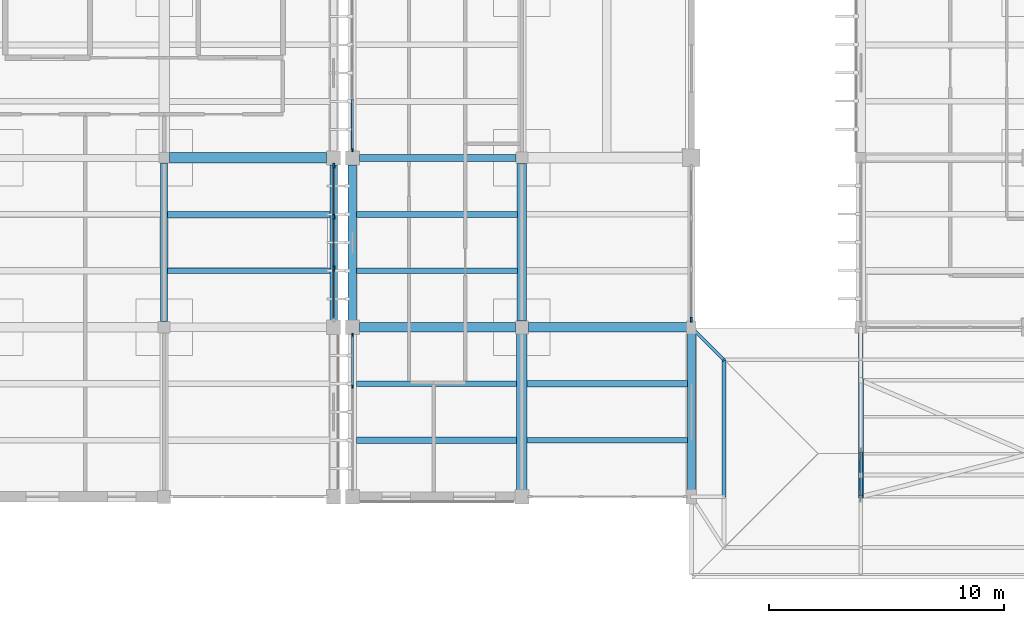
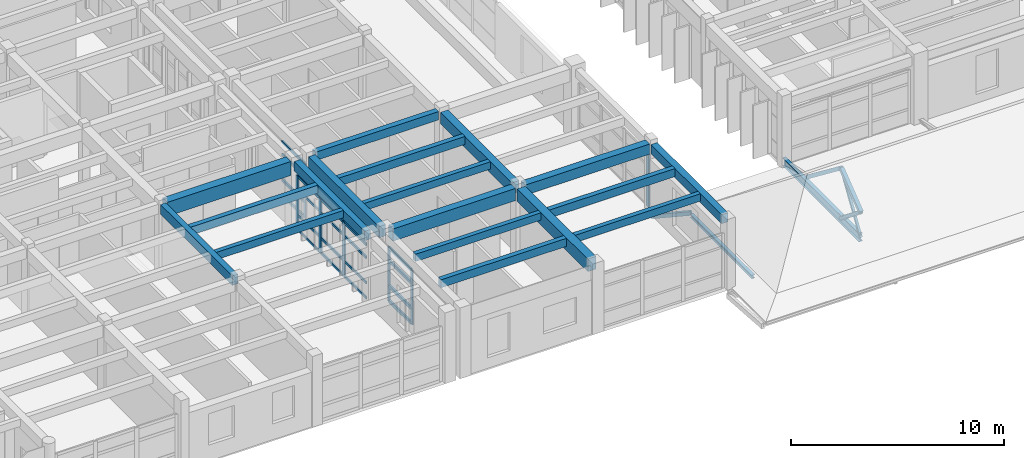
# One storey, part 18 of 100: 33 members, 19 beams, 4 elements without a shape of their own.
"""IFC4 building model written with IfcOpenShell, lengths in metres."""

from ifc_helpers import new_model, si_unit, direction, frame, origin, origin_2d, place, context, subcontext, project, spatial, rectangle, hollow_rectangle, hollow_circle, i_section, extrude, material, material_profile, profile_set, type_object, element, aggregate, save


model = new_model("IFC4")

# Units and contexts
model_context = context("Model", 3, precision=1e-05, world=origin(), true_north=direction((0.0, 1.0)))
body_context = subcontext(model_context, "Body", "Model", "MODEL_VIEW")
ifc_project = project(units=[si_unit("LENGTHUNIT", "METRE"), si_unit("AREAUNIT", "SQUARE_METRE"), si_unit("VOLUMEUNIT", "CUBIC_METRE"), si_unit("PLANEANGLEUNIT", "RADIAN"), si_unit("MASSUNIT", "GRAM", prefix="KILO")], contexts=[model_context])

# Site, building, storey
site_placement = place(None, origin())
site = spatial("IfcSite", under=ifc_project, at=site_placement, CompositionType="ELEMENT")
building_placement = place(site_placement, origin())
building = spatial("IfcBuilding", under=site, at=building_placement, Name="Steenspoor Specialist Clinic", CompositionType="ELEMENT")
storey_placement = place(building_placement, frame((0.0, 0.0, 9.0)))
storey = spatial("IfcBuildingStorey", under=building, at=storey_placement, Name="L02", CompositionType="ELEMENT", Elevation=9.0)

# Beams
ifc_material_1 = material(Name="Concrete C35/45", Category="concrete")
ifc_material_profile_1 = material_profile(ifc_material_1, rectangle(XDim=0.300048828125, YDim=0.47998046875, at=origin_2d()), Name="RC-BM-300X480")
ifc_profile_set_1 = profile_set([ifc_material_profile_1], Name="Concrete C35/45")
beam_type_1 = type_object("IfcBeamType", Name="BM-RC-300X480", PredefinedType="BEAM", material=ifc_profile_set_1)
beam_1_placement = place(storey_placement, frame((52.695068359375, 79.550048828125, 3.7099609375), z_axis=(1.0, 0.0, 0.0), x_axis=(0.0, 1.0, 0.0)))
element("IfcBeam", 1, at=beam_1_placement, inside=storey, type_object=beam_type_1, Name="BM-V4-L02-X0649", PredefinedType="BEAM", context=body_context, shape_type="SweptSolid", body=[
    extrude(rectangle(XDim=0.300048828125, YDim=0.47998046875, at=origin_2d()), origin(), (0.0, 0.0, 1.0), 6.659912109375),
])
ifc_material_profile_2 = material_profile(ifc_material_1, rectangle(XDim=0.300048828125, YDim=0.550048828125, at=origin_2d()), Name="RC-BM-300X550")
ifc_profile_set_2 = profile_set([ifc_material_profile_2], Name="Concrete C35/45")
beam_type_2 = type_object("IfcBeamType", Name="BM-RC-300X550", PredefinedType="BEAM", material=ifc_profile_set_2)
beam_2_placement = place(storey_placement, frame((44.39990234375, 72.594970703125, 3.675048828125), z_axis=(0.0, 1.0, 0.0), x_axis=(-1.0, 0.0, 0.0)))
element("IfcBeam", 2, at=beam_2_placement, inside=storey, type_object=beam_type_2, Name="BM-V5-L02-Y1287", PredefinedType="BEAM", context=body_context, shape_type="SweptSolid", body=[
    extrude(rectangle(XDim=0.300048828125, YDim=0.550048828125, at=origin_2d()), origin(), (0.0, 0.0, 1.0), 6.735107421875),
])
ifc_material_profile_3 = material_profile(ifc_material_1, rectangle(XDim=0.35009765625, YDim=0.52001953125, at=origin_2d()), Name="RC-BM-350X520")
ifc_profile_set_3 = profile_set([ifc_material_profile_3], Name="Concrete C35/45")
beam_type_3 = type_object("IfcBeamType", Name="BM-RC-350X520", PredefinedType="BEAM", material=ifc_profile_set_3)
beam_3_placement = place(storey_placement, frame((66.800048828125, 65.445068359375, 3.68994140625), z_axis=(0.0, 1.0, 0.0), x_axis=(-1.0, 0.0, 0.0)))
element("IfcBeam", 3, at=beam_3_placement, inside=storey, type_object=beam_type_3, Name="BM-V4-L02-Y0697", PredefinedType="BEAM", context=body_context, shape_type="SweptSolid", body=[
    extrude(rectangle(XDim=0.35009765625, YDim=0.52001953125, at=origin_2d()), origin(), (0.0, 0.0, 1.0), 6.635009765625),
])
ifc_material_profile_4 = material_profile(ifc_material_1, rectangle(XDim=0.39990234375, YDim=0.580078125, at=origin_2d()), Name="RC-BM-400X580")
ifc_profile_set_4 = profile_set([ifc_material_profile_4], Name="Concrete C35/45")
beam_type_4 = type_object("IfcBeamType", Name="BM-RC-400X580", PredefinedType="BEAM", material=ifc_profile_set_4)
beam_4_placement = place(storey_placement, frame((59.8701171875, 72.35009765625, 3.659912109375), z_axis=(1.0, 0.0, 0.0), x_axis=(0.0, 1.0, 0.0)))
element("IfcBeam", 4, at=beam_4_placement, inside=storey, type_object=beam_type_4, Name="BM-V4-L02-X0643", PredefinedType="BEAM", context=body_context, shape_type="SweptSolid", body=[
    extrude(rectangle(XDim=0.39990234375, YDim=0.580078125, at=origin_2d()), origin(), (0.0, 0.0, 1.0), 6.73486328125),
])
ifc_material_profile_5 = material_profile(ifc_material_1, rectangle(XDim=0.39990234375, YDim=0.64990234375, at=origin_2d()), Name="RC-BM-400X650")
ifc_profile_set_5 = profile_set([ifc_material_profile_5], Name="Concrete C35/45")
beam_type_5 = type_object("IfcBeamType", Name="BM-RC-400X650", PredefinedType="BEAM", material=ifc_profile_set_5)
beam_5_placement = place(storey_placement, frame((59.60009765625, 72.6201171875, 3.625), z_axis=(0.0, 1.0, 0.0), x_axis=(-1.0, 0.0, 0.0)))
element("IfcBeam", 5, at=beam_5_placement, inside=storey, type_object=beam_type_5, Name="BM-V4-L02-Y0692", PredefinedType="BEAM", context=body_context, shape_type="SweptSolid", body=[
    extrude(rectangle(XDim=0.39990234375, YDim=0.64990234375, at=origin_2d()), origin(), (0.0, 0.0, 1.0), 6.684814453125),
])
ifc_material_profile_6 = material_profile(ifc_material_1, rectangle(XDim=0.39990234375, YDim=0.699951171875, at=origin_2d()), Name="RC-BM-400X700")
ifc_profile_set_6 = profile_set([ifc_material_profile_6], Name="Concrete C35/45")
beam_type_6 = type_object("IfcBeamType", Name="BM-RC-400X700", PredefinedType="BEAM", material=ifc_profile_set_6)
beam_6_placement = place(storey_placement, frame((52.695068359375, 72.35009765625, 3.60009765625), z_axis=(1.0, 0.0, 0.0), x_axis=(0.0, 1.0, 0.0)))
element("IfcBeam", 6, at=beam_6_placement, inside=storey, type_object=beam_type_6, Name="BM-V4-L02-X0642", PredefinedType="BEAM", context=body_context, shape_type="SweptSolid", body=[
    extrude(rectangle(XDim=0.39990234375, YDim=0.699951171875, at=origin_2d()), origin(), (0.0, 0.0, 1.0), 6.635009765625),
])
ifc_material_profile_7 = material_profile(ifc_material_1, rectangle(XDim=0.449951171875, YDim=0.719970703125, at=origin_2d()), Name="RC-BM-450X720")
ifc_profile_set_7 = profile_set([ifc_material_profile_7], Name="Concrete C35/45")
beam_type_7 = type_object("IfcBeamType", Name="BM-RC-450X720", PredefinedType="BEAM", material=ifc_profile_set_7)
beam_7_placement = place(storey_placement, frame((59.60009765625, 65.445068359375, 3.590087890625), z_axis=(0.0, 1.0, 0.0), x_axis=(-1.0, 0.0, 0.0)))
element("IfcBeam", 7, at=beam_7_placement, inside=storey, type_object=beam_type_7, Name="BM-V4-L02-Y0691", PredefinedType="BEAM", context=body_context, shape_type="SweptSolid", body=[
    extrude(rectangle(XDim=0.449951171875, YDim=0.719970703125, at=origin_2d()), origin(), (0.0, 0.0, 1.0), 6.635009765625),
])
ifc_material_profile_8 = material_profile(ifc_material_1, rectangle(XDim=0.449951171875, YDim=0.800048828125, at=origin_2d()), Name="RC-BM-450X800")
ifc_profile_set_8 = profile_set([ifc_material_profile_8], Name="Concrete C35/45")
beam_type_8 = type_object("IfcBeamType", Name="BM-RC-450X800", PredefinedType="BEAM", material=ifc_profile_set_8)
beam_8_placement = place(storey_placement, frame((44.6201171875, 79.550048828125, 3.550048828125), z_axis=(1.0, 0.0, 0.0), x_axis=(0.0, 1.0, 0.0)))
element("IfcBeam", 8, at=beam_8_placement, inside=storey, type_object=beam_type_8, Name="BM-V5-L02-X1256", PredefinedType="BEAM", context=body_context, shape_type="SweptSolid", body=[
    extrude(rectangle(XDim=0.449951171875, YDim=0.800048828125, at=origin_2d()), origin(), (0.0, 0.0, 1.0), 6.684814453125),
])
ifc_material_2 = material(Name="Steel A992 Grade 50", Category="steel")
ifc_material_profile_9 = material_profile(ifc_material_2, i_section(OverallWidth=0.193115234375, OverallDepth=0.466064453125, WebThickness=0.011474609375, FlangeThickness=0.01904296875, at=origin_2d()), Name="W460X97")
ifc_profile_set_9 = profile_set([ifc_material_profile_9], Name="Steel A992 Grade 50")
beam_type_9 = type_object("IfcBeamType", Name="BM-ST-W460X97", PredefinedType="BEAM", material=ifc_profile_set_9)
beam_9_placement = place(storey_placement, frame((74.0, 65.14990234375, 0.2529296875), z_axis=(0.0, 1.0, 0.0), x_axis=(-1.0, 0.0, 0.0)))
element("IfcBeam", 9, at=beam_9_placement, inside=storey, type_object=beam_type_9, Name="ROOF TRUSS Bottom Tie Chord V4T1 2", PredefinedType="BEAM", context=body_context, shape_type="SweptSolid", body=[
    extrude(i_section(OverallWidth=0.193115234375, OverallDepth=0.466064453125, WebThickness=0.011474609375, FlangeThickness=0.01904296875, at=origin_2d()), origin(), (0.0, 0.0, 1.0), 7.2001953125),
])

# Curtain wall, member
ifc_material_3 = material(Name="Thermally broken aluminium and low-emissivity glass", Category="aluminium")
curtain_wall_type_1 = type_object("IfcCurtainWallType", Name="CW-TYP-660X355", PredefinedType="USERDEFINED", material=ifc_material_3)
curtain_wall_1_placement = place(storey_placement, origin())
curtain_wall_1 = element("IfcCurtainWall", 10, at=curtain_wall_1_placement, inside=storey, type_object=curtain_wall_type_1, Name="Unitised Curtain Wall CW-V4-L02-105", ObjectType="UNITISED GLAZING", PredefinedType="USERDEFINED")
ifc_material_4 = material(Name="Thermally broken aluminium 6063-T6", Category="aluminium")
ifc_material_profile_10 = material_profile(ifc_material_4, rectangle(XDim=0.06494140625, YDim=0.14990234375, at=origin_2d()), Name="CWM-65X150")
ifc_profile_set_10 = profile_set([ifc_material_profile_10], Name="Thermally broken aluminium 6063-T6")
member_type_1 = type_object("IfcMemberType", Name="CW-MULL-65X150", PredefinedType="MULLION", material=ifc_profile_set_10)
member_1_placement = place(storey_placement, frame((52.39990234375, 79.882568359375, 0.0), z_axis=(0.0, 0.0, 1.0), x_axis=(-1.0, 0.0, 0.0)))
member_1 = element("IfcMember", 11, at=member_1_placement, type_object=member_type_1, Name="CW-09 mullion 1", PredefinedType="MULLION", context=body_context, shape_type="SweptSolid", body=[
    extrude(rectangle(XDim=0.06494140625, YDim=0.14990234375, at=origin_2d()), origin(), (0.0, 0.0, 1.0), 3.1298828125),
])

# Curtain wall, members
curtain_wall_type_2 = type_object("IfcCurtainWallType", Name="CW-L00-240X415", PredefinedType="USERDEFINED", material=ifc_material_3)
curtain_wall_2_placement = place(storey_placement, origin())
curtain_wall_2 = element("IfcCurtainWall", 12, at=curtain_wall_2_placement, inside=storey, type_object=curtain_wall_type_2, Name="Unitised Curtain Wall CW-V4-L02-104", ObjectType="UNITISED GLAZING", PredefinedType="USERDEFINED")
ifc_material_profile_11 = material_profile(ifc_material_4, rectangle(XDim=0.070068359375, YDim=0.1650390625, at=origin_2d()), Name="CWM-70X165")
ifc_profile_set_11 = profile_set([ifc_material_profile_11], Name="Thermally broken aluminium 6063-T6")
member_type_2 = type_object("IfcMemberType", Name="CW-MULL-70X165", PredefinedType="MULLION", material=ifc_profile_set_11)
member_2_placement = place(storey_placement, frame((52.39990234375, 69.85009765625, 0.0), z_axis=(0.0, 0.0, 1.0), x_axis=(-1.0, 0.0, 0.0)))
member_2 = element("IfcMember", 13, at=member_2_placement, type_object=member_type_2, Name="CW-08 mullion 3", PredefinedType="MULLION", context=body_context, shape_type="SweptSolid", body=[
    extrude(rectangle(XDim=0.070068359375, YDim=0.1650390625, at=origin_2d()), origin(), (0.0, 0.0, 1.0), 3.1298828125),
])
member_3_placement = place(storey_placement, frame((52.39990234375, 72.014892578125, 0.0), z_axis=(0.0, 0.0, 1.0), x_axis=(-1.0, 0.0, 0.0)))
member_3 = element("IfcMember", 14, at=member_3_placement, type_object=member_type_2, Name="CW-08 mullion 4", PredefinedType="MULLION", context=body_context, shape_type="SweptSolid", body=[
    extrude(rectangle(XDim=0.070068359375, YDim=0.1650390625, at=origin_2d()), origin(), (0.0, 0.0, 1.0), 3.1298828125),
])

# Curtain wall, member
curtain_wall_type_3 = type_object("IfcCurtainWallType", Name="CW-L00-480X415", PredefinedType="USERDEFINED", material=ifc_material_3)
curtain_wall_3_placement = place(storey_placement, origin())
curtain_wall_3 = element("IfcCurtainWall", 15, at=curtain_wall_3_placement, inside=storey, type_object=curtain_wall_type_3, Name="Unitised Curtain Wall CW-V4-L02-102", ObjectType="UNITISED GLAZING", PredefinedType="USERDEFINED")
ifc_material_profile_12 = material_profile(ifc_material_4, rectangle(XDim=0.080078125, YDim=0.219970703125, at=origin_2d()), Name="CWM-80X220")
ifc_profile_set_12 = profile_set([ifc_material_profile_12], Name="Thermally broken aluminium 6063-T6")
member_type_3 = type_object("IfcMemberType", Name="CW-MULL-80X220", PredefinedType="MULLION", material=ifc_profile_set_12)
member_4_placement = place(storey_placement, frame((66.800048828125, 72.6650390625, 0.0), z_axis=(0.0, 0.0, 1.0), x_axis=(1.0, 0.0, 0.0)))
member_4 = element("IfcMember", 16, at=member_4_placement, type_object=member_type_3, Name="CW-06 mullion 4", PredefinedType="MULLION", context=body_context, shape_type="SweptSolid", body=[
    extrude(rectangle(XDim=0.080078125, YDim=0.219970703125, at=origin_2d()), origin(), (0.0, 0.0, 1.0), 3.1298828125),
])
aggregate(curtain_wall_3, [member_4])

# Curtain wall, members
curtain_wall_type_4 = type_object("IfcCurtainWallType", Name="CW-TYP-480X355", PredefinedType="USERDEFINED", material=ifc_material_3)
curtain_wall_4_placement = place(storey_placement, origin())
curtain_wall_4 = element("IfcCurtainWall", 17, at=curtain_wall_4_placement, inside=storey, type_object=curtain_wall_type_4, Name="Unitised Curtain Wall CW-V5-L02-156", ObjectType="UNITISED GLAZING", PredefinedType="USERDEFINED")
member_5_placement = place(storey_placement, frame((51.60009765625, 79.2099609375, 0.0), z_axis=(0.0, 0.0, 1.0), x_axis=(1.0, 0.0, 0.0)))
member_5 = element("IfcMember", 18, at=member_5_placement, type_object=member_type_3, Name="CW-12 mullion 1", PredefinedType="MULLION", context=body_context, shape_type="SweptSolid", body=[
    extrude(rectangle(XDim=0.080078125, YDim=0.219970703125, at=origin_2d()), origin(), (0.0, 0.0, 1.0), 3.1298828125),
])
member_6_placement = place(storey_placement, frame((51.60009765625, 77.050048828125, 0.0), z_axis=(0.0, 0.0, 1.0), x_axis=(1.0, 0.0, 0.0)))
member_6 = element("IfcMember", 19, at=member_6_placement, type_object=member_type_3, Name="CW-12 mullion 2", PredefinedType="MULLION", context=body_context, shape_type="SweptSolid", body=[
    extrude(rectangle(XDim=0.080078125, YDim=0.219970703125, at=origin_2d()), origin(), (0.0, 0.0, 1.0), 3.1298828125),
])
member_7_placement = place(storey_placement, frame((51.60009765625, 74.85009765625, 0.0), z_axis=(0.0, 0.0, 1.0), x_axis=(1.0, 0.0, 0.0)))
member_7 = element("IfcMember", 20, at=member_7_placement, type_object=member_type_3, Name="CW-12 mullion 3", PredefinedType="MULLION", context=body_context, shape_type="SweptSolid", body=[
    extrude(rectangle(XDim=0.080078125, YDim=0.219970703125, at=origin_2d()), origin(), (0.0, 0.0, 1.0), 3.1298828125),
])
ifc_material_profile_13 = material_profile(ifc_material_4, rectangle(XDim=0.070068359375, YDim=0.14501953125, at=origin_2d()), Name="CWT-70X145")
ifc_profile_set_13 = profile_set([ifc_material_profile_13], Name="Thermally broken aluminium 6063-T6")
member_type_4 = type_object("IfcMemberType", Name="CW-TRAN-70X145", PredefinedType="USERDEFINED", material=ifc_profile_set_13)
member_8_placement = place(storey_placement, frame((51.60009765625, 79.169921875, 0.034912109375), z_axis=(0.0, -1.0, 0.0), x_axis=(1.0, 0.0, 0.0)))
member_8 = element("IfcMember", 21, at=member_8_placement, type_object=member_type_4, Name="CW-12 transom 1.1", ObjectType="TRANSOM", PredefinedType="USERDEFINED", context=body_context, shape_type="SweptSolid", body=[
    extrude(rectangle(XDim=0.070068359375, YDim=0.14501953125, at=origin_2d()), origin(), (0.0, 0.0, 1.0), 2.079833984375),
])
member_9_placement = place(storey_placement, frame((51.60009765625, 79.169921875, 0.89990234375), z_axis=(0.0, -1.0, 0.0), x_axis=(1.0, 0.0, 0.0)))
member_9 = element("IfcMember", 22, at=member_9_placement, type_object=member_type_4, Name="CW-12 transom 1.2", ObjectType="TRANSOM", PredefinedType="USERDEFINED", context=body_context, shape_type="SweptSolid", body=[
    extrude(rectangle(XDim=0.070068359375, YDim=0.14501953125, at=origin_2d()), origin(), (0.0, 0.0, 1.0), 2.079833984375),
])
member_10_placement = place(storey_placement, frame((51.60009765625, 79.169921875, 2.35009765625), z_axis=(0.0, -1.0, 0.0), x_axis=(1.0, 0.0, 0.0)))
member_10 = element("IfcMember", 23, at=member_10_placement, type_object=member_type_4, Name="CW-12 transom 1.3", ObjectType="TRANSOM", PredefinedType="USERDEFINED", context=body_context, shape_type="SweptSolid", body=[
    extrude(rectangle(XDim=0.070068359375, YDim=0.14501953125, at=origin_2d()), origin(), (0.0, 0.0, 1.0), 2.079833984375),
])
member_11_placement = place(storey_placement, frame((51.60009765625, 79.169921875, 3.094970703125), z_axis=(0.0, -1.0, 0.0), x_axis=(1.0, 0.0, 0.0)))
member_11 = element("IfcMember", 24, at=member_11_placement, type_object=member_type_4, Name="CW-12 transom 1.4", ObjectType="TRANSOM", PredefinedType="USERDEFINED", context=body_context, shape_type="SweptSolid", body=[
    extrude(rectangle(XDim=0.070068359375, YDim=0.14501953125, at=origin_2d()), origin(), (0.0, 0.0, 1.0), 2.079833984375),
])
member_12_placement = place(storey_placement, frame((51.60009765625, 77.010009765625, 0.034912109375), z_axis=(0.0, -1.0, 0.0), x_axis=(1.0, 0.0, 0.0)))
member_12 = element("IfcMember", 25, at=member_12_placement, type_object=member_type_4, Name="CW-12 transom 2.1", ObjectType="TRANSOM", PredefinedType="USERDEFINED", context=body_context, shape_type="SweptSolid", body=[
    extrude(rectangle(XDim=0.070068359375, YDim=0.14501953125, at=origin_2d()), origin(), (0.0, 0.0, 1.0), 2.1201171875),
])
member_13_placement = place(storey_placement, frame((51.60009765625, 77.010009765625, 0.89990234375), z_axis=(0.0, -1.0, 0.0), x_axis=(1.0, 0.0, 0.0)))
member_13 = element("IfcMember", 26, at=member_13_placement, type_object=member_type_4, Name="CW-12 transom 2.2", ObjectType="TRANSOM", PredefinedType="USERDEFINED", context=body_context, shape_type="SweptSolid", body=[
    extrude(rectangle(XDim=0.070068359375, YDim=0.14501953125, at=origin_2d()), origin(), (0.0, 0.0, 1.0), 2.1201171875),
])
member_14_placement = place(storey_placement, frame((51.60009765625, 77.010009765625, 2.35009765625), z_axis=(0.0, -1.0, 0.0), x_axis=(1.0, 0.0, 0.0)))
member_14 = element("IfcMember", 27, at=member_14_placement, type_object=member_type_4, Name="CW-12 transom 2.3", ObjectType="TRANSOM", PredefinedType="USERDEFINED", context=body_context, shape_type="SweptSolid", body=[
    extrude(rectangle(XDim=0.070068359375, YDim=0.14501953125, at=origin_2d()), origin(), (0.0, 0.0, 1.0), 2.1201171875),
])
member_15_placement = place(storey_placement, frame((51.60009765625, 77.010009765625, 3.094970703125), z_axis=(0.0, -1.0, 0.0), x_axis=(1.0, 0.0, 0.0)))
member_15 = element("IfcMember", 28, at=member_15_placement, type_object=member_type_4, Name="CW-12 transom 2.4", ObjectType="TRANSOM", PredefinedType="USERDEFINED", context=body_context, shape_type="SweptSolid", body=[
    extrude(rectangle(XDim=0.070068359375, YDim=0.14501953125, at=origin_2d()), origin(), (0.0, 0.0, 1.0), 2.1201171875),
])
member_16_placement = place(storey_placement, frame((51.60009765625, 74.81005859375, 0.034912109375), z_axis=(0.0, -1.0, 0.0), x_axis=(1.0, 0.0, 0.0)))
member_16 = element("IfcMember", 29, at=member_16_placement, type_object=member_type_4, Name="CW-12 transom 3.1", ObjectType="TRANSOM", PredefinedType="USERDEFINED", context=body_context, shape_type="SweptSolid", body=[
    extrude(rectangle(XDim=0.070068359375, YDim=0.14501953125, at=origin_2d()), origin(), (0.0, 0.0, 1.0), 2.080078125),
])
member_17_placement = place(storey_placement, frame((51.60009765625, 74.81005859375, 0.89990234375), z_axis=(0.0, -1.0, 0.0), x_axis=(1.0, 0.0, 0.0)))
member_17 = element("IfcMember", 30, at=member_17_placement, type_object=member_type_4, Name="CW-12 transom 3.2", ObjectType="TRANSOM", PredefinedType="USERDEFINED", context=body_context, shape_type="SweptSolid", body=[
    extrude(rectangle(XDim=0.070068359375, YDim=0.14501953125, at=origin_2d()), origin(), (0.0, 0.0, 1.0), 2.080078125),
])
member_18_placement = place(storey_placement, frame((51.60009765625, 74.81005859375, 2.35009765625), z_axis=(0.0, -1.0, 0.0), x_axis=(1.0, 0.0, 0.0)))
member_18 = element("IfcMember", 31, at=member_18_placement, type_object=member_type_4, Name="CW-12 transom 3.3", ObjectType="TRANSOM", PredefinedType="USERDEFINED", context=body_context, shape_type="SweptSolid", body=[
    extrude(rectangle(XDim=0.070068359375, YDim=0.14501953125, at=origin_2d()), origin(), (0.0, 0.0, 1.0), 2.080078125),
])
member_19_placement = place(storey_placement, frame((51.60009765625, 74.81005859375, 3.094970703125), z_axis=(0.0, -1.0, 0.0), x_axis=(1.0, 0.0, 0.0)))
member_19 = element("IfcMember", 32, at=member_19_placement, type_object=member_type_4, Name="CW-12 transom 3.4", ObjectType="TRANSOM", PredefinedType="USERDEFINED", context=body_context, shape_type="SweptSolid", body=[
    extrude(rectangle(XDim=0.070068359375, YDim=0.14501953125, at=origin_2d()), origin(), (0.0, 0.0, 1.0), 2.080078125),
])
aggregate(curtain_wall_4, [member_5, member_6, member_7, member_8, member_9, member_10, member_11, member_12, member_13, member_14, member_15, member_16, member_17, member_18, member_19])

# Member
ifc_material_profile_14 = material_profile(ifc_material_4, rectangle(XDim=0.080078125, YDim=0.159912109375, at=origin_2d()), Name="CWT-80X160")
ifc_profile_set_14 = profile_set([ifc_material_profile_14], Name="Thermally broken aluminium 6063-T6")
member_type_5 = type_object("IfcMemberType", Name="CW-TRAN-80X160", PredefinedType="USERDEFINED", material=ifc_profile_set_14)
member_20_placement = place(storey_placement, frame((52.39990234375, 79.9150390625, 0.0400390625), z_axis=(0.0, 1.0, 0.0), x_axis=(-1.0, 0.0, 0.0)))
member_20 = element("IfcMember", 33, at=member_20_placement, type_object=member_type_5, Name="CW-09 transom 1.1", ObjectType="TRANSOM", PredefinedType="USERDEFINED", context=body_context, shape_type="SweptSolid", body=[
    extrude(rectangle(XDim=0.080078125, YDim=0.159912109375, at=origin_2d()), origin(), (0.0, 0.0, 1.0), 2.1025390625),
])

member_21_placement = place(storey_placement, frame((52.39990234375, 79.9150390625, 0.89990234375), z_axis=(0.0, 1.0, 0.0), x_axis=(-1.0, 0.0, 0.0)))
member_21 = element("IfcMember", 34, at=member_21_placement, type_object=member_type_5, Name="CW-09 transom 1.2", ObjectType="TRANSOM", PredefinedType="USERDEFINED", context=body_context, shape_type="SweptSolid", body=[
    extrude(rectangle(XDim=0.080078125, YDim=0.159912109375, at=origin_2d()), origin(), (0.0, 0.0, 1.0), 2.1025390625),
])

member_22_placement = place(storey_placement, frame((52.39990234375, 79.9150390625, 2.35009765625), z_axis=(0.0, 1.0, 0.0), x_axis=(-1.0, 0.0, 0.0)))
member_22 = element("IfcMember", 35, at=member_22_placement, type_object=member_type_5, Name="CW-09 transom 1.3", ObjectType="TRANSOM", PredefinedType="USERDEFINED", context=body_context, shape_type="SweptSolid", body=[
    extrude(rectangle(XDim=0.080078125, YDim=0.159912109375, at=origin_2d()), origin(), (0.0, 0.0, 1.0), 2.1025390625),
])

member_23_placement = place(storey_placement, frame((52.39990234375, 79.9150390625, 3.090087890625), z_axis=(0.0, 1.0, 0.0), x_axis=(-1.0, 0.0, 0.0)))
member_23 = element("IfcMember", 36, at=member_23_placement, type_object=member_type_5, Name="CW-09 transom 1.4", ObjectType="TRANSOM", PredefinedType="USERDEFINED", context=body_context, shape_type="SweptSolid", body=[
    extrude(rectangle(XDim=0.080078125, YDim=0.159912109375, at=origin_2d()), origin(), (0.0, 0.0, 1.0), 2.1025390625),
])

aggregate(curtain_wall_1, [member_1, member_20, member_21, member_22, member_23])

ifc_material_profile_15 = material_profile(ifc_material_4, rectangle(XDim=0.090087890625, YDim=0.175048828125, at=origin_2d()), Name="CWT-90X175")
ifc_profile_set_15 = profile_set([ifc_material_profile_15], Name="Thermally broken aluminium 6063-T6")
member_type_6 = type_object("IfcMemberType", Name="CW-TRAN-90X175", PredefinedType="USERDEFINED", material=ifc_profile_set_15)
member_24_placement = place(storey_placement, frame((52.39990234375, 69.885009765625, 0.044921875), z_axis=(0.0, 1.0, 0.0), x_axis=(-1.0, 0.0, 0.0)))
member_24 = element("IfcMember", 37, at=member_24_placement, type_object=member_type_6, Name="CW-08 transom 3.1", ObjectType="TRANSOM", PredefinedType="USERDEFINED", context=body_context, shape_type="SweptSolid", body=[
    extrude(rectangle(XDim=0.090087890625, YDim=0.175048828125, at=origin_2d()), origin(), (0.0, 0.0, 1.0), 2.094970703125),
])

member_25_placement = place(storey_placement, frame((52.39990234375, 69.885009765625, 0.89990234375), z_axis=(0.0, 1.0, 0.0), x_axis=(-1.0, 0.0, 0.0)))
member_25 = element("IfcMember", 38, at=member_25_placement, type_object=member_type_6, Name="CW-08 transom 3.2", ObjectType="TRANSOM", PredefinedType="USERDEFINED", context=body_context, shape_type="SweptSolid", body=[
    extrude(rectangle(XDim=0.090087890625, YDim=0.175048828125, at=origin_2d()), origin(), (0.0, 0.0, 1.0), 2.094970703125),
])

member_26_placement = place(storey_placement, frame((52.39990234375, 69.885009765625, 2.35009765625), z_axis=(0.0, 1.0, 0.0), x_axis=(-1.0, 0.0, 0.0)))
member_26 = element("IfcMember", 39, at=member_26_placement, type_object=member_type_6, Name="CW-08 transom 3.3", ObjectType="TRANSOM", PredefinedType="USERDEFINED", context=body_context, shape_type="SweptSolid", body=[
    extrude(rectangle(XDim=0.090087890625, YDim=0.175048828125, at=origin_2d()), origin(), (0.0, 0.0, 1.0), 2.094970703125),
])

member_27_placement = place(storey_placement, frame((52.39990234375, 69.885009765625, 3.0849609375), z_axis=(0.0, 1.0, 0.0), x_axis=(-1.0, 0.0, 0.0)))
member_27 = element("IfcMember", 40, at=member_27_placement, type_object=member_type_6, Name="CW-08 transom 3.4", ObjectType="TRANSOM", PredefinedType="USERDEFINED", context=body_context, shape_type="SweptSolid", body=[
    extrude(rectangle(XDim=0.090087890625, YDim=0.175048828125, at=origin_2d()), origin(), (0.0, 0.0, 1.0), 2.094970703125),
])

aggregate(curtain_wall_2, [member_2, member_3, member_24, member_25, member_26, member_27])

# Beams
ifc_material_profile_16 = material_profile(ifc_material_1, rectangle(XDim=0.239990234375, YDim=0.419921875, at=origin_2d()), Name="RC-JT-240X420")
ifc_profile_set_16 = profile_set([ifc_material_profile_16], Name="Concrete C35/45")
beam_type_10 = type_object("IfcBeamType", Name="JT-RC-240X420", PredefinedType="JOIST", material=ifc_profile_set_16)
beam_10_placement = place(storey_placement, frame((52.574951171875, 69.949951171875, 3.739990234375), z_axis=(1.0, 0.0, 0.0), x_axis=(0.0, 1.0, 0.0)))
element("IfcBeam", 41, at=beam_10_placement, inside=storey, type_object=beam_type_10, Name="JT-V4-L02-0738", PredefinedType="JOIST", context=body_context, shape_type="SweptSolid", body=[
    extrude(rectangle(XDim=0.239990234375, YDim=0.419921875, at=origin_2d()), origin(), (0.0, 0.0, 1.0), 6.804931640625),
])
beam_11_placement = place(storey_placement, frame((52.574951171875, 74.75, 3.739990234375), z_axis=(1.0, 0.0, 0.0), x_axis=(0.0, 1.0, 0.0)))
element("IfcBeam", 42, at=beam_11_placement, inside=storey, type_object=beam_type_10, Name="JT-V4-L02-0739", PredefinedType="JOIST", context=body_context, shape_type="SweptSolid", body=[
    extrude(rectangle(XDim=0.239990234375, YDim=0.419921875, at=origin_2d()), origin(), (0.0, 0.0, 1.0), 6.830078125),
])
beam_12_placement = place(storey_placement, frame((59.820068359375, 67.550048828125, 3.739990234375), z_axis=(1.0, 0.0, 0.0), x_axis=(0.0, 1.0, 0.0)))
element("IfcBeam", 43, at=beam_12_placement, inside=storey, type_object=beam_type_10, Name="JT-V4-L02-0749", PredefinedType="JOIST", context=body_context, shape_type="SweptSolid", body=[
    extrude(rectangle(XDim=0.239990234375, YDim=0.419921875, at=origin_2d()), origin(), (0.0, 0.0, 1.0), 6.809814453125),
])
beam_13_placement = place(storey_placement, frame((44.544921875, 74.75, 3.739990234375), z_axis=(1.0, 0.0, 0.0), x_axis=(0.0, 1.0, 0.0)))
element("IfcBeam", 44, at=beam_13_placement, inside=storey, type_object=beam_type_10, Name="JT-V5-L02-1327", PredefinedType="JOIST", context=body_context, shape_type="SweptSolid", body=[
    extrude(rectangle(XDim=0.239990234375, YDim=0.419921875, at=origin_2d()), origin(), (0.0, 0.0, 1.0), 6.900146484375),
])
ifc_material_profile_17 = material_profile(ifc_material_1, rectangle(XDim=0.260009765625, YDim=0.4599609375, at=origin_2d()), Name="RC-JT-260X460")
ifc_profile_set_17 = profile_set([ifc_material_profile_17], Name="Concrete C35/45")
beam_type_11 = type_object("IfcBeamType", Name="JT-RC-260X460", PredefinedType="JOIST", material=ifc_profile_set_17)
beam_14_placement = place(storey_placement, frame((52.574951171875, 67.550048828125, 3.719970703125), z_axis=(1.0, 0.0, 0.0), x_axis=(0.0, 1.0, 0.0)))
element("IfcBeam", 45, at=beam_14_placement, inside=storey, type_object=beam_type_11, Name="JT-V4-L02-0737", PredefinedType="JOIST", context=body_context, shape_type="SweptSolid", body=[
    extrude(rectangle(XDim=0.260009765625, YDim=0.4599609375, at=origin_2d()), origin(), (0.0, 0.0, 1.0), 6.804931640625),
])
beam_15_placement = place(storey_placement, frame((52.574951171875, 77.14990234375, 3.719970703125), z_axis=(1.0, 0.0, 0.0), x_axis=(0.0, 1.0, 0.0)))
element("IfcBeam", 46, at=beam_15_placement, inside=storey, type_object=beam_type_11, Name="JT-V4-L02-0740", PredefinedType="JOIST", context=body_context, shape_type="SweptSolid", body=[
    extrude(rectangle(XDim=0.260009765625, YDim=0.4599609375, at=origin_2d()), origin(), (0.0, 0.0, 1.0), 6.830078125),
])
beam_16_placement = place(storey_placement, frame((59.820068359375, 69.949951171875, 3.719970703125), z_axis=(1.0, 0.0, 0.0), x_axis=(0.0, 1.0, 0.0)))
element("IfcBeam", 47, at=beam_16_placement, inside=storey, type_object=beam_type_11, Name="JT-V4-L02-0750", PredefinedType="JOIST", context=body_context, shape_type="SweptSolid", body=[
    extrude(rectangle(XDim=0.260009765625, YDim=0.4599609375, at=origin_2d()), origin(), (0.0, 0.0, 1.0), 6.809814453125),
])
beam_17_placement = place(storey_placement, frame((44.544921875, 77.14990234375, 3.719970703125), z_axis=(1.0, 0.0, 0.0), x_axis=(0.0, 1.0, 0.0)))
element("IfcBeam", 48, at=beam_17_placement, inside=storey, type_object=beam_type_11, Name="JT-V5-L02-1328", PredefinedType="JOIST", context=body_context, shape_type="SweptSolid", body=[
    extrude(rectangle(XDim=0.260009765625, YDim=0.4599609375, at=origin_2d()), origin(), (0.0, 0.0, 1.0), 6.900146484375),
])

# Members
ifc_material_5 = material(Name="Steel A500 Grade C", Category="steel")
ifc_material_profile_18 = material_profile(ifc_material_5, hollow_rectangle(XDim=0.126953125, YDim=0.126953125, WallThickness=0.0087890625, at=origin_2d()), Name="HSS127X127X9.5")
ifc_profile_set_18 = profile_set([ifc_material_profile_18], Name="Steel A500 Grade C")
member_type_7 = type_object("IfcMemberType", Name="MEM-BRACE-H127A", PredefinedType="BRACE", material=ifc_profile_set_18)
member_28_placement = place(storey_placement, frame((74.0, 65.14990234375, 0.2529296875), z_axis=(0.0, 0.538413296152, 0.842680913826), x_axis=(-1.0, 0.0, 0.0)))
element("IfcMember", 49, at=member_28_placement, inside=storey, type_object=member_type_7, Name="ROOF TRUSS Web Brace V4T1 2.1", PredefinedType="BRACE", context=body_context, shape_type="SweptSolid", body=[
    extrude(hollow_rectangle(XDim=0.126953125, YDim=0.126953125, WallThickness=0.0087890625, at=origin_2d()), origin(), (0.0, 0.0, 1.0), 3.408447265625),
])
ifc_material_profile_19 = material_profile(ifc_material_5, hollow_rectangle(XDim=0.203125, YDim=0.203125, WallThickness=0.01171875, at=origin_2d()), Name="HSS203X203X12.7")
ifc_profile_set_19 = profile_set([ifc_material_profile_19], Name="Steel A500 Grade C")
member_type_8 = type_object("IfcMemberType", Name="MEM-CHORD-H203", PredefinedType="CHORD", material=ifc_profile_set_19)
member_29_placement = place(storey_placement, frame((74.0, 65.14990234375, 1.714599609375), z_axis=(0.0, 0.792843510574, 0.609425276586), x_axis=(-1.0, 0.0, 0.0)))
element("IfcMember", 50, at=member_29_placement, inside=storey, type_object=member_type_8, Name="ROOF TRUSS Top Chord V4T1 2.1", PredefinedType="CHORD", context=body_context, shape_type="SweptSolid", body=[
    extrude(hollow_rectangle(XDim=0.203125, YDim=0.203125, WallThickness=0.01171875, at=origin_2d()), origin(), (0.0, 0.0, 1.0), 2.314697265625),
])
member_30_placement = place(storey_placement, frame((74.0, 66.985107421875, 3.125244140625), z_axis=(0.0, 0.792822604803, -0.609452473384), x_axis=(-1.0, 0.0, 0.0)))
element("IfcMember", 51, at=member_30_placement, inside=storey, type_object=member_type_8, Name="ROOF TRUSS Top Chord V4T1 2.2", PredefinedType="CHORD", context=body_context, shape_type="SweptSolid", body=[
    extrude(hollow_rectangle(XDim=0.203125, YDim=0.203125, WallThickness=0.01171875, at=origin_2d()), origin(), (0.0, 0.0, 1.0), 3.928955078125),
])
ifc_material_profile_20 = material_profile(ifc_material_2, i_section(OverallWidth=0.1650390625, OverallDepth=0.200927734375, WebThickness=0.006103515625, FlangeThickness=0.01025390625, at=origin_2d()), Name="W200X36")
ifc_profile_set_20 = profile_set([ifc_material_profile_20], Name="Steel A992 Grade 50")
member_type_9 = type_object("IfcMemberType", Name="MEM-PURLIN-W200", PredefinedType="PURLIN", material=ifc_profile_set_20)
member_31_placement = place(storey_placement, frame((68.179931640625, 65.14990234375, 0.0439453125), z_axis=(0.0, 1.0, 0.0), x_axis=(-1.0, 0.0, 0.0)))
element("IfcMember", 52, at=member_31_placement, inside=storey, type_object=member_type_9, Name="ROOF TRUSS Knuckle Purlin 211", PredefinedType="PURLIN", context=body_context, shape_type="SweptSolid", body=[
    extrude(i_section(OverallWidth=0.1650390625, OverallDepth=0.200927734375, WebThickness=0.006103515625, FlangeThickness=0.01025390625, at=origin_2d()), origin(), (0.0, 0.0, 1.0), 5.820068359375),
])
ifc_material_6 = material(Name="Glulam GL28h", Category="wood")
ifc_material_profile_21 = material_profile(ifc_material_6, rectangle(XDim=0.139892578125, YDim=0.219970703125, at=origin_2d()), Name="GL28H-140X220")
ifc_profile_set_21 = profile_set([ifc_material_profile_21], Name="Glulam GL28h")
member_type_10 = type_object("IfcMemberType", Name="MEM-RAFTER-GL220", PredefinedType="RAFTER", material=ifc_profile_set_21)
member_32_placement = place(storey_placement, frame((66.800048828125, 72.35009765625, -0.376220703125), z_axis=(0.680286724995, -0.680407087119, 0.272499848795), x_axis=(0.707169326565, 0.707044230275, 0.0)))
element("IfcMember", 53, at=member_32_placement, inside=storey, type_object=member_type_10, Name="ROOF TRUSS Corner Knuckle Rafter V4T1 132", PredefinedType="RAFTER", context=body_context, shape_type="SweptSolid", body=[
    extrude(rectangle(XDim=0.139892578125, YDim=0.219970703125, at=origin_2d()), origin(), (0.0, 0.0, 1.0), 2.0283203125),
])
ifc_material_profile_22 = material_profile(ifc_material_5, hollow_circle(Radius=0.109619140625, WallThickness=0.00830078125, at=origin_2d()), Name="CHS219X8.2")
ifc_profile_set_22 = profile_set([ifc_material_profile_22], Name="Steel A500 Grade C")
member_type_11 = type_object("IfcMemberType", Name="MEM-STRUT-CHS219", PredefinedType="STRUT", material=ifc_profile_set_22)
member_33_placement = place(storey_placement, frame((74.0, 65.14990234375, 1.714599609375), z_axis=(0.0, 0.782217224257, -0.62300578976), x_axis=(-1.0, 0.0, 0.0)))
element("IfcMember", 54, at=member_33_placement, inside=storey, type_object=member_type_11, Name="ROOF TRUSS Web Strut V4T1 2.1", PredefinedType="STRUT", context=body_context, shape_type="SweptSolid", body=[
    extrude(hollow_circle(Radius=0.109619140625, WallThickness=0.00830078125, at=origin_2d()), origin(), (0.0, 0.0, 1.0), 2.34619140625),
])

# Beams
ifc_material_profile_23 = material_profile(ifc_material_1, rectangle(XDim=0.320068359375, YDim=0.5400390625, at=origin_2d()), Name="RC-SP-320X540")
ifc_profile_set_23 = profile_set([ifc_material_profile_23], Name="Concrete C35/45")
beam_type_12 = type_object("IfcBeamType", Name="SP-RC-320X540", PredefinedType="SPANDREL", material=ifc_profile_set_23)
beam_18_placement = place(storey_placement, frame((51.60009765625, 72.64501953125, 3.679931640625), z_axis=(0.0, 1.0, 0.0), x_axis=(-1.0, 0.0, 0.0)))
element("IfcBeam", 55, at=beam_18_placement, inside=storey, type_object=beam_type_12, Name="BM-V5-L02-Y1293", PredefinedType="SPANDREL", context=body_context, shape_type="SweptSolid", body=[
    extrude(rectangle(XDim=0.320068359375, YDim=0.5400390625, at=origin_2d()), origin(), (0.0, 0.0, 1.0), 6.60986328125),
])
ifc_material_profile_24 = material_profile(ifc_material_1, rectangle(XDim=0.360107421875, YDim=0.639892578125, at=origin_2d()), Name="RC-SP-360X640")
ifc_profile_set_24 = profile_set([ifc_material_profile_24], Name="Concrete C35/45")
beam_type_13 = type_object("IfcBeamType", Name="SP-RC-360X640", PredefinedType="SPANDREL", material=ifc_profile_set_24)
beam_19_placement = place(storey_placement, frame((52.39990234375, 72.64501953125, 3.6298828125), z_axis=(0.0, 1.0, 0.0), x_axis=(-1.0, 0.0, 0.0)))
element("IfcBeam", 56, at=beam_19_placement, inside=storey, type_object=beam_type_13, Name="BM-V4-L02-Y0686", PredefinedType="SPANDREL", context=body_context, shape_type="SweptSolid", body=[
    extrude(rectangle(XDim=0.360107421875, YDim=0.639892578125, at=origin_2d()), origin(), (0.0, 0.0, 1.0), 6.60986328125),
])

save(model, "model.ifc")
